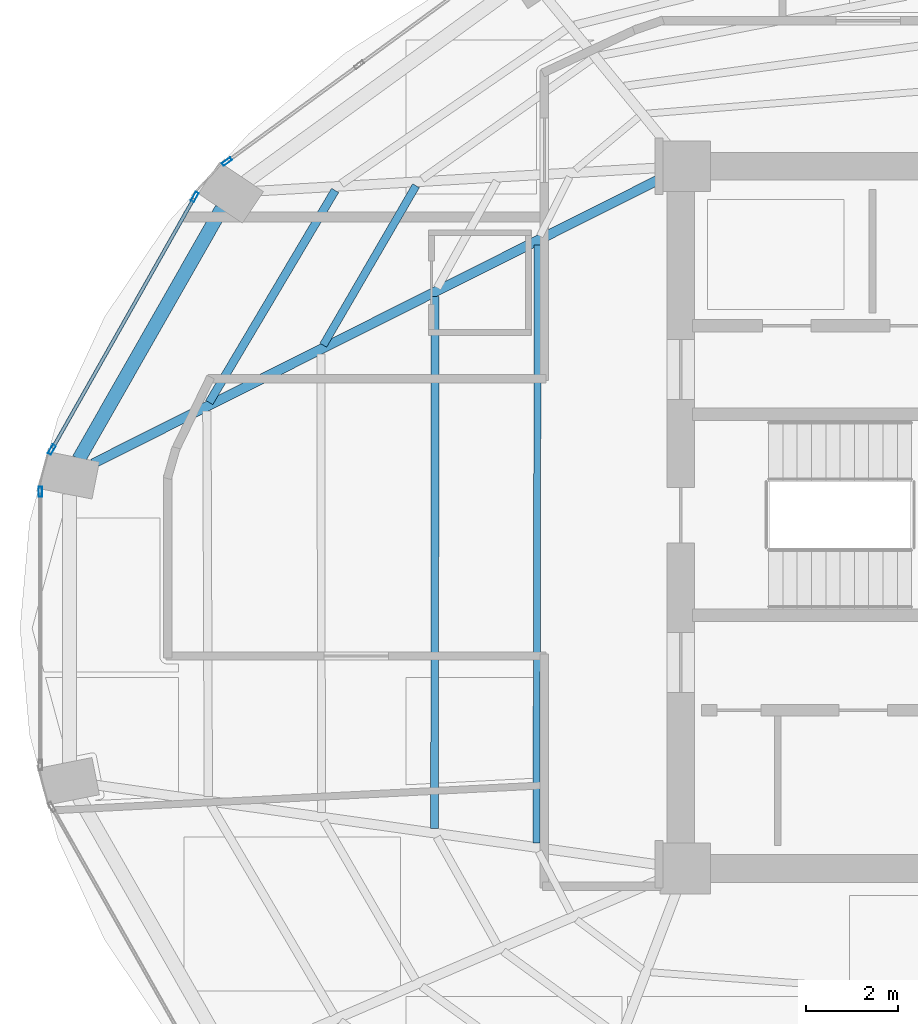
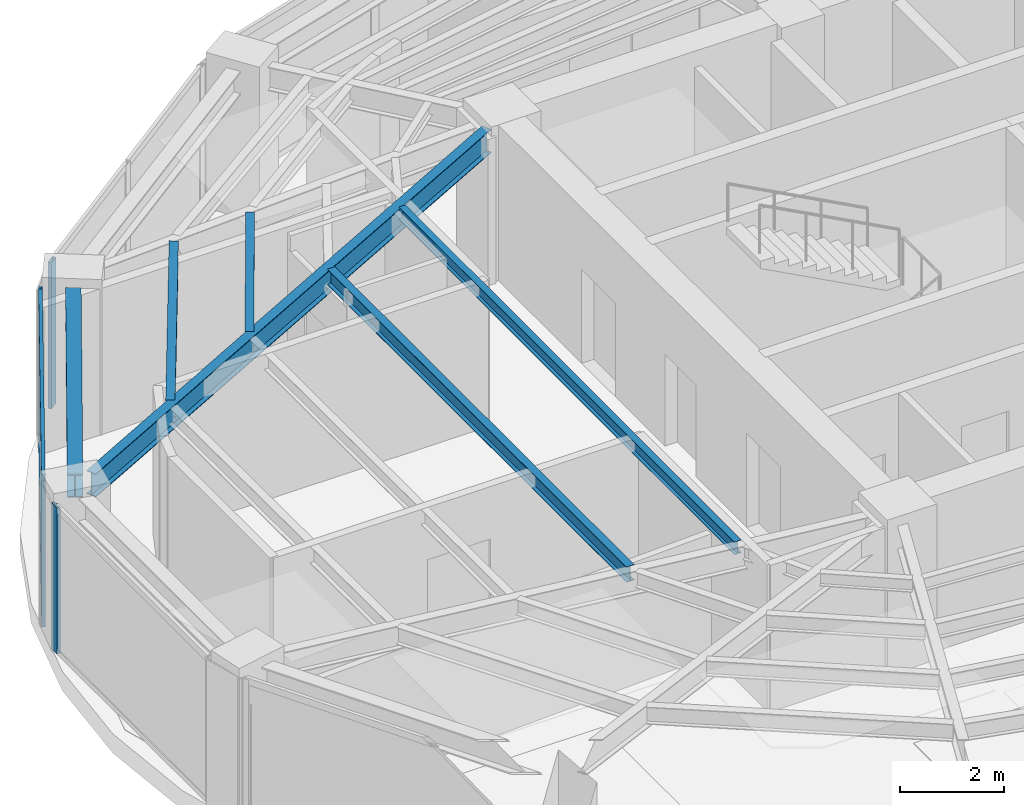
# One storey, part 6 of 20: 6 beams, 6 members, 3 elements without a shape of their own.
"""IFC4 building model written with IfcOpenShell, lengths in metres."""

from ifc_helpers import new_model, si_unit, direction, frame, origin, origin_2d, place, context, subcontext, project, spatial, hollow_rectangle, i_section, extrude, material, layer, layer_set, material_profile, profile_set, type_object, element, aggregate, save


model = new_model("IFC4")

# Units and contexts
model_context = context("Model", 3, precision=1e-05, world=origin(), true_north=direction((0.0, 1.0)))
body_context = subcontext(model_context, "Body", "Model", "MODEL_VIEW")
ifc_project = project(units=[si_unit("LENGTHUNIT", "METRE"), si_unit("AREAUNIT", "SQUARE_METRE"), si_unit("VOLUMEUNIT", "CUBIC_METRE"), si_unit("PLANEANGLEUNIT", "RADIAN"), si_unit("MASSUNIT", "GRAM", prefix="KILO")], contexts=[model_context])

# Site, building, storey
site_placement = place(None, origin())
site = spatial("IfcSite", under=ifc_project, at=site_placement, CompositionType="ELEMENT")
building_placement = place(site_placement, origin())
building = spatial("IfcBuilding", under=site, at=building_placement, Name="Lazwardi Medical Tower", CompositionType="ELEMENT")
storey_placement = place(building_placement, frame((0.0, 0.0, 138.2880859375)))
storey = spatial("IfcBuildingStorey", under=building, at=storey_placement, Name="L35", CompositionType="ELEMENT", Elevation=138.2880859375)

# Beams
ifc_material_1 = material(Name="Steel S355", Category="steel")
ifc_material_profile_1 = material_profile(ifc_material_1, i_section(OverallWidth=0.300048828125, OverallDepth=0.550048828125, WebThickness=0.014892578125, FlangeThickness=0.029052734375, at=origin_2d()), Name="HEB 550")
ifc_profile_set_1 = profile_set([ifc_material_profile_1], Name="Steel S355")
beam_type_1 = type_object("IfcBeamType", Name="BM-RB-Z3", PredefinedType="BEAM", material=ifc_profile_set_1)
beam_1_placement = place(storey_placement, frame((16.3662109375, 34.683349609375, 3.15283203125), z_axis=(-0.495477752551, -0.868620628771, 0.0), x_axis=(0.868620628771, -0.495477752551, 0.0)))
element("IfcBeam", 1, at=beam_1_placement, inside=storey, type_object=beam_type_1, Name="Ring beam RB-04 B11 L35", PredefinedType="BEAM", context=body_context, shape_type="SweptSolid", body=[
    extrude(i_section(OverallWidth=0.300048828125, OverallDepth=0.550048828125, WebThickness=0.014892578125, FlangeThickness=0.029052734375, at=origin_2d()), origin(), (0.0, 0.0, 1.0), 6.244384765625),
])
ifc_material_profile_2 = material_profile(ifc_material_1, i_section(OverallWidth=0.2099609375, OverallDepth=0.550048828125, WebThickness=0.010986328125, FlangeThickness=0.01708984375, at=origin_2d()), Name="IPE 550")
ifc_profile_set_2 = profile_set([ifc_material_profile_2], Name="Steel S355")
beam_type_2 = type_object("IfcBeamType", Name="BM-RG-W2", PredefinedType="BEAM", material=ifc_profile_set_2)
beam_2_placement = place(storey_placement, frame((13.57470703125, 29.162841796875, 3.15283203125), z_axis=(0.893740468624, 0.448584412061, 0.0), x_axis=(-0.448584412061, 0.893740468624, 0.0)))
element("IfcBeam", 2, at=beam_2_placement, inside=storey, type_object=beam_type_2, Name="Radial girder RG-03 R12 L35", PredefinedType="BEAM", context=body_context, shape_type="SweptSolid", body=[
    extrude(i_section(OverallWidth=0.2099609375, OverallDepth=0.550048828125, WebThickness=0.010986328125, FlangeThickness=0.01708984375, at=origin_2d()), origin(), (0.0, 0.0, 1.0), 13.815185546875),
])
ifc_material_profile_3 = material_profile(ifc_material_1, i_section(OverallWidth=0.179931640625, OverallDepth=0.39990234375, WebThickness=0.008544921875, FlangeThickness=0.013427734375, at=origin_2d()), Name="IPE 400")
ifc_profile_set_3 = profile_set([ifc_material_profile_3], Name="Steel S355")
beam_type_3 = type_object("IfcBeamType", Name="BM-SJ-01", PredefinedType="JOIST", material=ifc_profile_set_3)
beam_3_placement = place(storey_placement, frame((18.82080078125, 35.078369140625, 3.22802734375), z_axis=(-0.510569396963, -0.859836548935, 0.0), x_axis=(0.859836548935, -0.510569396963, 0.0)))
element("IfcBeam", 3, at=beam_3_placement, inside=storey, type_object=beam_type_3, Name="Secondary joist SJ-01 R1 B11 L35", PredefinedType="JOIST", context=body_context, shape_type="SweptSolid", body=[
    extrude(i_section(OverallWidth=0.179931640625, OverallDepth=0.39990234375, WebThickness=0.008544921875, FlangeThickness=0.013427734375, at=origin_2d()), origin(), (0.0, 0.0, 1.0), 5.33837890625),
])
ifc_material_profile_4 = material_profile(ifc_material_1, i_section(OverallWidth=0.169921875, OverallDepth=0.360107421875, WebThickness=0.008056640625, FlangeThickness=0.0126953125, at=origin_2d()), Name="IPE 360")
ifc_profile_set_4 = profile_set([ifc_material_profile_4], Name="Steel S355")
beam_type_4 = type_object("IfcBeamType", Name="BM-SJ-02", PredefinedType="JOIST", material=ifc_profile_set_4)
beam_4_placement = place(storey_placement, frame((20.5703125, 35.17919921875, 3.247802734375), z_axis=(-0.502665102216, -0.864481228839, 0.0), x_axis=(0.864481228839, -0.502665102216, 0.0)))
element("IfcBeam", 4, at=beam_4_placement, inside=storey, type_object=beam_type_4, Name="Secondary joist SJ-02 R2 B11 L35", PredefinedType="JOIST", context=body_context, shape_type="SweptSolid", body=[
    extrude(i_section(OverallWidth=0.169921875, OverallDepth=0.360107421875, WebThickness=0.008056640625, FlangeThickness=0.0126953125, at=origin_2d()), origin(), (0.0, 0.0, 1.0), 3.991943359375),
])
beam_5_placement = place(storey_placement, frame((20.98291015625, 32.78125, 3.247802734375), z_axis=(-0.000805852776, -0.999999675301, 0.0), x_axis=(0.999999675301, -0.000805852776, 0.0)))
element("IfcBeam", 5, at=beam_5_placement, inside=storey, type_object=beam_type_4, Name="Secondary joist SJ-02 R3 B12 L35", PredefinedType="JOIST", context=body_context, shape_type="SweptSolid", body=[
    extrude(i_section(OverallWidth=0.169921875, OverallDepth=0.360107421875, WebThickness=0.008056640625, FlangeThickness=0.0126953125, at=origin_2d()), origin(), (0.0, 0.0, 1.0), 11.512451171875),
])
ifc_material_profile_5 = material_profile(ifc_material_1, i_section(OverallWidth=0.14990234375, OverallDepth=0.300048828125, WebThickness=0.007080078125, FlangeThickness=0.0107421875, at=origin_2d()), Name="IPE 300")
ifc_profile_set_5 = profile_set([ifc_material_profile_5], Name="Steel S355")
beam_type_5 = type_object("IfcBeamType", Name="BM-SJ-03", PredefinedType="JOIST", material=ifc_profile_set_5)
beam_6_placement = place(storey_placement, frame((23.205078125, 33.896484375, 3.27783203125), z_axis=(-0.002150897838, -0.999997686817, 0.0), x_axis=(0.999997686817, -0.002150897838, 0.0)))
element("IfcBeam", 6, at=beam_6_placement, inside=storey, type_object=beam_type_5, Name="Secondary joist SJ-03 R4 B12 L35", PredefinedType="JOIST", context=body_context, shape_type="SweptSolid", body=[
    extrude(i_section(OverallWidth=0.14990234375, OverallDepth=0.300048828125, WebThickness=0.007080078125, FlangeThickness=0.0107421875, at=origin_2d()), origin(), (0.0, 0.0, 1.0), 12.939697265625),
])

# Curtain wall, member
ifc_material_2 = material(Name="Anodised bronze aluminium and solar control glazing", Category="aluminium")
ifc_layer = layer(ifc_material_2, 0.195068359375)
ifc_layer_set = layer_set([ifc_layer], Name="Anodised bronze aluminium and solar control glazing")
curtain_wall_type = type_object("IfcCurtainWallType", Name="CW-SYS-03", PredefinedType="NOTDEFINED", material=ifc_layer_set)
curtain_wall_1_placement = place(storey_placement, origin())
curtain_wall_1 = element("IfcCurtainWall", 7, at=curtain_wall_1_placement, inside=storey, type_object=curtain_wall_type, Name="L35 Unitised bronze curtain wall CW-03", PredefinedType="NOTDEFINED")
ifc_material_3 = material(Name="Anodised bronze aluminium", Category="aluminium")
ifc_material_profile_6 = material_profile(ifc_material_3, hollow_rectangle(XDim=0.074951171875, YDim=0.219970703125, WallThickness=0.00390625, at=origin_2d()), Name="ALU-MULLION 220x75x4")
ifc_profile_set_6 = profile_set([ifc_material_profile_6], Name="Anodised bronze aluminium")
member_type_1 = type_object("IfcMemberType", Name="CW-MUL-01", PredefinedType="MULLION", material=ifc_profile_set_6)
member_1_placement = place(storey_placement, frame((16.480224609375, 35.702880859375, 0.0), z_axis=(0.0, 0.0, 1.0), x_axis=(0.590833862635, -0.806793249082, 0.0)))
member_1 = element("IfcMember", 8, at=member_1_placement, type_object=member_type_1, Name="CW-03 mullion 3", PredefinedType="MULLION", context=body_context, shape_type="SweptSolid", body=[
    extrude(hollow_rectangle(XDim=0.074951171875, YDim=0.219970703125, WallThickness=0.00390625, at=origin_2d()), origin(), (0.0, 0.0, 1.0), 3.427978515625),
])
aggregate(curtain_wall_1, [member_1])

# Curtain wall, members
curtain_wall_2_placement = place(storey_placement, origin())
curtain_wall_2 = element("IfcCurtainWall", 9, at=curtain_wall_2_placement, inside=storey, type_object=curtain_wall_type, Name="L35 Unitised bronze curtain wall CW-03", PredefinedType="NOTDEFINED")
member_2_placement = place(storey_placement, frame((15.782470703125, 34.936767578125, 0.0), z_axis=(0.0, 0.0, 1.0), x_axis=(0.870418989303, -0.492311672683, 0.0)))
member_2 = element("IfcMember", 10, at=member_2_placement, type_object=member_type_1, Name="CW-03 mullion 1", PredefinedType="MULLION", context=body_context, shape_type="SweptSolid", body=[
    extrude(hollow_rectangle(XDim=0.074951171875, YDim=0.219970703125, WallThickness=0.00390625, at=origin_2d()), origin(), (0.0, 0.0, 1.0), 3.427978515625),
])
member_3_placement = place(storey_placement, frame((12.68896484375, 29.46728515625, 0.0), z_axis=(0.0, 0.0, 1.0), x_axis=(0.870418989303, -0.492311672683, 0.0)))
member_3 = element("IfcMember", 11, at=member_3_placement, type_object=member_type_1, Name="CW-03 mullion 2", PredefinedType="MULLION", context=body_context, shape_type="SweptSolid", body=[
    extrude(hollow_rectangle(XDim=0.074951171875, YDim=0.219970703125, WallThickness=0.00390625, at=origin_2d()), origin(), (0.0, 0.0, 1.0), 3.427978515625),
])

# Curtain wall, member
curtain_wall_3_placement = place(storey_placement, origin())
curtain_wall_3 = element("IfcCurtainWall", 12, at=curtain_wall_3_placement, inside=storey, type_object=curtain_wall_type, Name="L35 Unitised bronze curtain wall CW-03", PredefinedType="NOTDEFINED")
member_4_placement = place(storey_placement, frame((12.4423828125, 28.557861328125, 0.0), z_axis=(0.0, 0.0, 1.0), x_axis=(1.0, 0.0, 0.0)))
member_4 = element("IfcMember", 13, at=member_4_placement, type_object=member_type_1, Name="CW-03 mullion 1", PredefinedType="MULLION", context=body_context, shape_type="SweptSolid", body=[
    extrude(hollow_rectangle(XDim=0.074951171875, YDim=0.219970703125, WallThickness=0.00390625, at=origin_2d()), origin(), (0.0, 0.0, 1.0), 3.427978515625),
])
aggregate(curtain_wall_3, [member_4])

# Member
ifc_material_profile_7 = material_profile(ifc_material_3, hollow_rectangle(XDim=0.074951171875, YDim=0.159912109375, WallThickness=0.00390625, at=origin_2d()), Name="ALU-TRANSOM 160x75x4")
ifc_profile_set_7 = profile_set([ifc_material_profile_7], Name="Anodised bronze aluminium")
member_type_2 = type_object("IfcMemberType", Name="CW-TRN-01", PredefinedType="USERDEFINED", material=ifc_profile_set_7)
member_5_placement = place(storey_placement, frame((15.763916015625, 34.904052734375, 0.037353515625), z_axis=(-0.492322860598, -0.870412661289, 0.0), x_axis=(0.870412661289, -0.492322860598, 0.0)))
member_5 = element("IfcMember", 14, at=member_5_placement, type_object=member_type_2, Name="CW-03 transom 1.1", ObjectType="TRANSOM", PredefinedType="USERDEFINED", context=body_context, shape_type="SweptSolid", body=[
    extrude(hollow_rectangle(XDim=0.074951171875, YDim=0.159912109375, WallThickness=0.00390625, at=origin_2d()), origin(), (0.0, 0.0, 1.0), 6.20849609375),
])

member_6_placement = place(storey_placement, frame((15.763916015625, 34.904052734375, 3.390380859375), z_axis=(-0.492322860598, -0.870412661289, 0.0), x_axis=(0.870412661289, -0.492322860598, 0.0)))
member_6 = element("IfcMember", 15, at=member_6_placement, type_object=member_type_2, Name="CW-03 transom 1.2", ObjectType="TRANSOM", PredefinedType="USERDEFINED", context=body_context, shape_type="SweptSolid", body=[
    extrude(hollow_rectangle(XDim=0.074951171875, YDim=0.159912109375, WallThickness=0.00390625, at=origin_2d()), origin(), (0.0, 0.0, 1.0), 6.20849609375),
])

aggregate(curtain_wall_2, [member_2, member_3, member_5, member_6])

save(model, "model.ifc")
